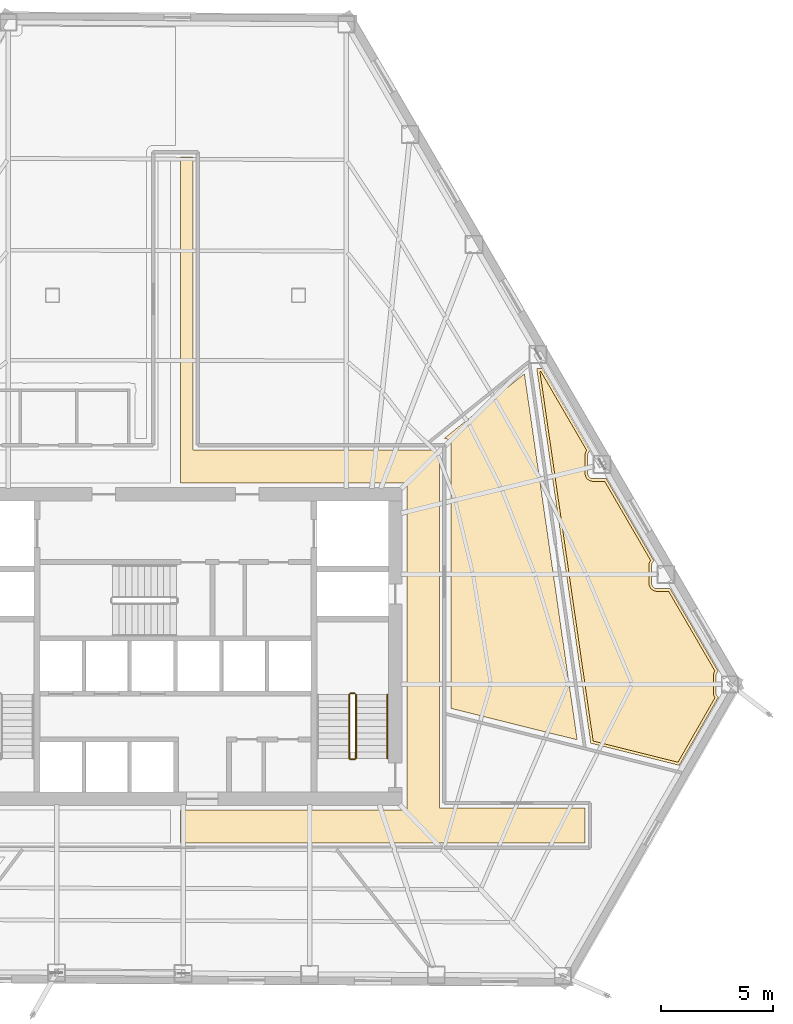
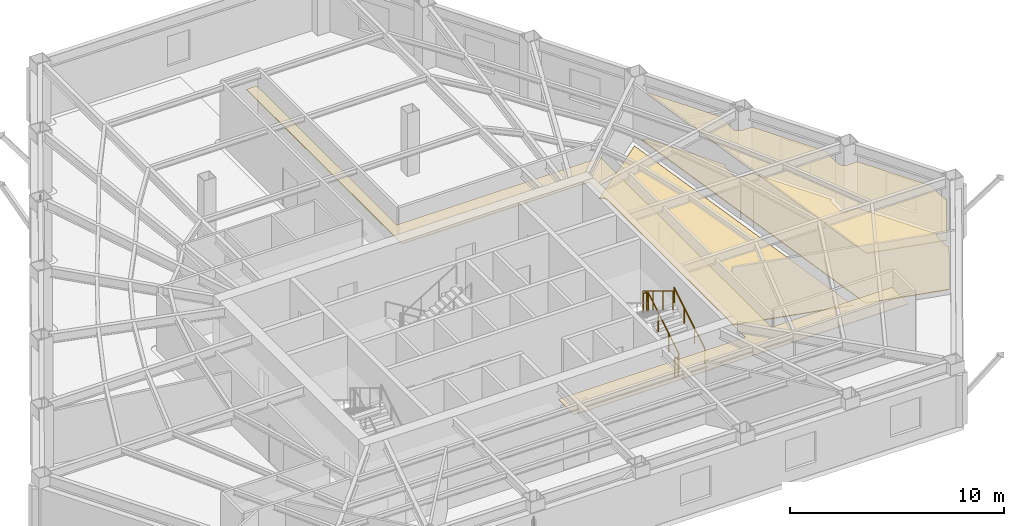
# One storey, part 12 of 12: 5 railings, 4 coverings.
"""IFC4 building model written with IfcOpenShell, lengths in metres."""

from ifc_helpers import new_model, si_unit, direction, frame, origin, origin_2d, place, context, subcontext, project, spatial, polyline, circle, outline, extrude, material, layer, layer_set, type_object, element, save


model = new_model("IFC4")

# Units and contexts
model_context = context("Model", 3, precision=1e-05, world=origin(), true_north=direction((0.0, 1.0)))
body_context = subcontext(model_context, "Body", "Model", "MODEL_VIEW")
ifc_project = project(units=[si_unit("LENGTHUNIT", "METRE"), si_unit("AREAUNIT", "SQUARE_METRE"), si_unit("VOLUMEUNIT", "CUBIC_METRE"), si_unit("PLANEANGLEUNIT", "RADIAN"), si_unit("MASSUNIT", "GRAM", prefix="KILO")], contexts=[model_context])

# Site, building, storey
site_placement = place(None, origin())
site = spatial("IfcSite", under=ifc_project, at=site_placement, CompositionType="ELEMENT")
building_placement = place(site_placement, origin())
building = spatial("IfcBuilding", under=site, at=building_placement, Name="Kavelnor Concourse Tower", CompositionType="ELEMENT")
storey_placement = place(building_placement, frame((0.0, 0.0, 44.5)))
storey = spatial("IfcBuildingStorey", under=building, at=storey_placement, Name="L11", CompositionType="ELEMENT", Elevation=44.5)

# Coverings
ifc_material_1 = material(Name="Mineral fibre acoustic ceiling tile")
ifc_layer_1 = layer(ifc_material_1, 0.0400390625, Name="Mineral fibre acoustic ceiling tile")
ifc_layer_set_1 = layer_set([ifc_layer_1], Name="Mineral fibre acoustic ceiling tile")
covering_type_1 = type_object("IfcCoveringType", Name="COV-CEILING-ACOUSTIC", PredefinedType="CEILING", material=ifc_layer_set_1)
covering_1_placement = place(storey_placement, frame((0.0, 0.0, 2.75)))
element("IfcCovering", 1, at=covering_1_placement, inside=storey, type_object=covering_type_1, Name="L11 Suspended Acoustic Ceiling", PredefinedType="CEILING", context=body_context, shape_type="SweptSolid", body=[
    extrude(outline(polyline([(38.780029296875, 37.97998046875), (38.780029296875, 24.8798828125), (49.800048828125, 24.8798828125), (49.800048828125, 8.8798828125), (56.30810546875, 8.8798828125), (56.30810546875, 7.320068359375), (38.22509765625, 7.320068359375), (38.22509765625, 8.780029296875), (48.340087890625, 8.780029296875), (48.340087890625, 23.419921875), (38.22509765625, 23.419921875), (38.22509765625, 37.97998046875), (38.780029296875, 37.97998046875)])), origin(), (0.0, 0.0, 1.0), 0.0400390625),
])
covering_2_placement = place(storey_placement, frame((0.0, 0.0, 2.75)))
element("IfcCovering", 2, at=covering_2_placement, inside=storey, type_object=covering_type_1, Name="L11 Suspended Acoustic Ceiling", PredefinedType="CEILING", context=body_context, shape_type="SweptSolid", body=[
    extrude(outline(polyline([(56.38623046875, 24.86572265625), (56.37109375, 24.845458984375), (56.35302734375, 24.815185546875), (56.337890625, 24.783203125), (56.325927734375, 24.749755859375), (56.3173828125, 24.715576171875), (56.312255859375, 24.680419921875), (56.310791015625, 24.653564453125), (56.310791015625, 23.8369140625), (56.312255859375, 23.809814453125), (56.3173828125, 23.77490234375), (56.325927734375, 23.740478515625), (56.337890625, 23.707275390625), (56.35302734375, 23.67529296875), (56.37109375, 23.64501953125), (56.392333984375, 23.61669921875), (56.416015625, 23.59033203125), (56.4423828125, 23.566650390625), (56.470703125, 23.54541015625), (56.5009765625, 23.52734375), (56.532958984375, 23.51220703125), (56.56640625, 23.500244140625), (56.6005859375, 23.49169921875), (56.635498046875, 23.486572265625), (56.66259765625, 23.485107421875), (57.18896484375, 23.485107421875), (59.2451171875, 19.947998046875), (59.22998046875, 19.927734375), (59.2119140625, 19.8974609375), (59.19677734375, 19.865478515625), (59.184814453125, 19.832275390625), (59.17626953125, 19.7978515625), (59.1708984375, 19.762939453125), (59.169677734375, 19.73583984375), (59.169677734375, 18.919189453125), (59.1708984375, 18.892333984375), (59.17626953125, 18.857421875), (59.184814453125, 18.822998046875), (59.19677734375, 18.789794921875), (59.2119140625, 18.7578125), (59.22998046875, 18.727294921875), (59.251220703125, 18.698974609375), (59.27490234375, 18.6728515625), (59.301025390625, 18.64892578125), (59.32958984375, 18.6279296875), (59.35986328125, 18.609619140625), (59.391845703125, 18.594482421875), (59.425048828125, 18.582763671875), (59.45947265625, 18.57421875), (59.494384765625, 18.56884765625), (59.521484375, 18.567626953125), (60.047607421875, 18.567626953125), (62.119140625, 15.004150390625), (62.10888671875, 14.989990234375), (62.090576171875, 14.959716796875), (62.075439453125, 14.927734375), (62.063720703125, 14.89453125), (62.054931640625, 14.860107421875), (62.0498046875, 14.8251953125), (62.048583984375, 14.798095703125), (62.048583984375, 14.021484375), (62.0498046875, 13.99462890625), (62.054931640625, 13.959716796875), (62.063720703125, 13.92529296875), (62.075439453125, 13.89208984375), (62.090576171875, 13.860107421875), (62.10888671875, 13.82958984375), (62.12255859375, 13.811279296875), (60.468017578125, 10.92578125), (56.675048828125, 11.87158203125), (54.29296875, 28.40283203125), (54.330078125, 28.40283203125), (56.38623046875, 24.86572265625)])), origin(), (0.0, 0.0, 1.0), 0.0400390625),
])
ifc_material_2 = material(Name="Honed bluestone and raised access floor finish", Category="masonry")
ifc_layer_2 = layer(ifc_material_2, 0.0400390625, Name="Honed bluestone and raised access floor finish")
ifc_layer_set_2 = layer_set([ifc_layer_2], Name="Honed bluestone and raised access floor finish")
covering_type_2 = type_object("IfcCoveringType", Name="COV-FLOOR-STONE", PredefinedType="FLOORING", material=ifc_layer_set_2)
covering_3_placement = place(storey_placement, frame((0.0, 0.0, 0.001953125)))
element("IfcCovering", 3, at=covering_3_placement, inside=storey, type_object=covering_type_2, Name="L11 Honed Bluestone Floor Finish", PredefinedType="FLOORING", context=body_context, shape_type="SweptSolid", body=[
    extrude(outline(polyline([(50.3212890625, 25.129638671875), (50.31689453125, 25.1591796875), (50.309814453125, 25.18798828125), (50.2998046875, 25.2158203125), (50.287109375, 25.24267578125), (50.271728515625, 25.268310546875), (50.25390625, 25.2919921875), (50.234130859375, 25.314208984375), (50.212158203125, 25.333984375), (50.188232421875, 25.351806640625), (50.16259765625, 25.366943359375), (50.135986328125, 25.379638671875), (50.10791015625, 25.3896484375), (50.0791015625, 25.39697265625), (50.0498046875, 25.4013671875), (50.025390625, 25.402587890625), (50.015380859375, 25.402587890625), (53.601806640625, 28.292236328125), (55.9599609375, 11.926025390625), (50.322509765625, 13.331787109375), (50.322509765625, 25.10546875), (50.3212890625, 25.129638671875)])), origin(), (0.0, 0.0, 1.0), 0.0400390625),
])
covering_4_placement = place(storey_placement, frame((0.0, 0.0, 0.001953125)))
element("IfcCovering", 4, at=covering_4_placement, inside=storey, type_object=covering_type_2, Name="L11 Honed Bluestone Floor Finish", PredefinedType="FLOORING", context=body_context, shape_type="SweptSolid", body=[
    extrude(outline(polyline([(56.537109375, 24.8447265625), (56.5185546875, 24.830810546875), (56.5009765625, 24.815185546875), (56.485107421875, 24.797607421875), (56.47119140625, 24.77880859375), (56.458984375, 24.758544921875), (56.448974609375, 24.737060546875), (56.44091796875, 24.71484375), (56.435302734375, 24.692138671875), (56.431884765625, 24.668701171875), (56.430908203125, 24.650634765625), (56.430908203125, 23.83984375), (56.431884765625, 23.821533203125), (56.435302734375, 23.79833984375), (56.44091796875, 23.775390625), (56.448974609375, 23.75341796875), (56.458984375, 23.73193359375), (56.47119140625, 23.711669921875), (56.485107421875, 23.69287109375), (56.5009765625, 23.67529296875), (56.5185546875, 23.659423828125), (56.537353515625, 23.6455078125), (56.5576171875, 23.63330078125), (56.5791015625, 23.623291015625), (56.601318359375, 23.615234375), (56.6240234375, 23.609619140625), (56.647216796875, 23.606201171875), (56.66552734375, 23.605224609375), (57.2578125, 23.605224609375), (59.39599609375, 19.92724609375), (59.377197265625, 19.913330078125), (59.35986328125, 19.8974609375), (59.343994140625, 19.8798828125), (59.329833984375, 19.861083984375), (59.31787109375, 19.8408203125), (59.3076171875, 19.819580078125), (59.2998046875, 19.79736328125), (59.294189453125, 19.7744140625), (59.29052734375, 19.751220703125), (59.289794921875, 19.73291015625), (59.289794921875, 18.922119140625), (59.29052734375, 18.904052734375), (59.294189453125, 18.880615234375), (59.2998046875, 18.85791015625), (59.3076171875, 18.835693359375), (59.31787109375, 18.814208984375), (59.329833984375, 18.794189453125), (59.343994140625, 18.775146484375), (59.35986328125, 18.7578125), (59.377197265625, 18.741943359375), (59.396240234375, 18.727783203125), (59.41650390625, 18.7158203125), (59.437744140625, 18.70556640625), (59.4599609375, 18.69775390625), (59.48291015625, 18.69189453125), (59.506103515625, 18.6884765625), (59.5244140625, 18.6875), (60.11669921875, 18.6875), (62.26904296875, 14.985107421875), (62.256103515625, 14.9755859375), (62.238525390625, 14.959716796875), (62.222900390625, 14.9423828125), (62.208740234375, 14.92333984375), (62.196533203125, 14.9033203125), (62.1865234375, 14.8818359375), (62.1787109375, 14.859619140625), (62.1728515625, 14.8369140625), (62.16943359375, 14.8134765625), (62.16845703125, 14.79541015625), (62.16845703125, 14.0244140625), (62.16943359375, 14.00634765625), (62.1728515625, 13.98291015625), (62.1787109375, 13.960205078125), (62.1865234375, 13.93798828125), (62.196533203125, 13.91650390625), (62.208740234375, 13.896484375), (62.222900390625, 13.87744140625), (62.238525390625, 13.860107421875), (62.256103515625, 13.84423828125), (62.272705078125, 13.831787109375), (60.527099609375, 10.787353515625), (56.56787109375, 11.774658203125), (54.154541015625, 28.52294921875), (54.399169921875, 28.52294921875), (56.537109375, 24.8447265625)])), origin(), (0.0, 0.0, 1.0), 0.0400390625),
])

# Railings
ifc_material_3 = material(Name="Steel Grade 350", Category="steel")
railing_type_1 = type_object("IfcRailingType", Name="RLG-GUARD-1100", PredefinedType="GUARDRAIL", material=ifc_material_3)
railing_1_placement = place(storey_placement, frame((46.070068359375, 11.10009765625, 0.175048828125)))
element("IfcRailing", 5, at=railing_1_placement, inside=storey, type_object=railing_type_1, Name="L11 ST2 stair guard 1", PredefinedType="GUARDRAIL", context=body_context, shape_type="SweptSolid", body=[
    extrude(circle(Radius=0.02392578125, at=origin_2d()), frame((0.0, 0.0, 1.076171875), z_axis=(0.0, 0.852159232446, 0.523282564737), x_axis=(-1.0, 0.0, 0.0)), (0.0, 0.0, 1.0), 3.34423828125),
    extrude(circle(Radius=0.02099609375, at=origin_2d()), origin(), (0.0, 0.0, 1.0), 1.052001953125),
    extrude(circle(Radius=0.02099609375, at=origin_2d()), frame((0.0, 0.949951171875, 0.583251953125)), (0.0, 0.0, 1.0), 1.052001953125),
    extrude(circle(Radius=0.02099609375, at=origin_2d()), frame((0.0, 1.89990234375, 1.166748046875)), (0.0, 0.0, 1.0), 1.052001953125),
    extrude(circle(Radius=0.02099609375, at=origin_2d()), frame((0.0, 2.849853515625, 1.75)), (0.0, 0.0, 1.0), 1.052001953125),
])
railing_2_placement = place(storey_placement, frame((46.02001953125, 14.0, 1.925048828125)))
element("IfcRailing", 6, at=railing_2_placement, inside=storey, type_object=railing_type_1, Name="L11 ST2 stair guard 2", PredefinedType="GUARDRAIL", context=body_context, shape_type="SweptSolid", body=[
    extrude(circle(Radius=0.02392578125, at=origin_2d()), frame((0.0, 0.0, 1.076171875), z_axis=(-1.0, 0.0, 0.0), x_axis=(0.0, -1.0, 0.0)), (0.0, 0.0, 1.0), 0.199951171875),
    extrude(circle(Radius=0.02099609375, at=origin_2d()), origin(), (0.0, 0.0, 1.0), 1.052001953125),
    extrude(circle(Radius=0.02099609375, at=origin_2d()), frame((-0.199951171875, 0.0, 0.0)), (0.0, 0.0, 1.0), 1.052001953125),
])
railing_3_placement = place(storey_placement, frame((45.77001953125, 13.949951171875, 2.10009765625)))
element("IfcRailing", 7, at=railing_3_placement, inside=storey, type_object=railing_type_1, Name="L11 ST2 stair guard 3", PredefinedType="GUARDRAIL", context=body_context, shape_type="SweptSolid", body=[
    extrude(circle(Radius=0.02392578125, at=origin_2d()), frame((0.0, 0.0, 1.076171875), z_axis=(0.0, -0.852159232446, 0.523282564737), x_axis=(1.0, 0.0, 0.0)), (0.0, 0.0, 1.0), 3.34423828125),
    extrude(circle(Radius=0.02099609375, at=origin_2d()), origin(), (0.0, 0.0, 1.0), 1.052001953125),
    extrude(circle(Radius=0.02099609375, at=origin_2d()), frame((0.0, -0.949951171875, 0.583251953125)), (0.0, 0.0, 1.0), 1.052001953125),
    extrude(circle(Radius=0.02099609375, at=origin_2d()), frame((0.0, -1.89990234375, 1.166748046875)), (0.0, 0.0, 1.0), 1.052001953125),
    extrude(circle(Radius=0.02099609375, at=origin_2d()), frame((0.0, -2.849853515625, 1.75)), (0.0, 0.0, 1.0), 1.052001953125),
])
railing_4_placement = place(storey_placement, frame((46.02001953125, 11.050048828125, 0.0)))
element("IfcRailing", 8, at=railing_4_placement, inside=storey, type_object=railing_type_1, Name="L11 ST2 stair guard 4", PredefinedType="GUARDRAIL", context=body_context, shape_type="SweptSolid", body=[
    extrude(circle(Radius=0.02392578125, at=origin_2d()), frame((0.0, 0.0, 1.076171875), z_axis=(-1.0, 0.0, 0.0), x_axis=(0.0, -1.0, 0.0)), (0.0, 0.0, 1.0), 0.199951171875),
    extrude(circle(Radius=0.02099609375, at=origin_2d()), origin(), (0.0, 0.0, 1.0), 1.052001953125),
    extrude(circle(Radius=0.02099609375, at=origin_2d()), frame((-0.199951171875, 0.0, 0.0)), (0.0, 0.0, 1.0), 1.052001953125),
])
railing_type_2 = type_object("IfcRailingType", Name="RLG-HANDRAIL-900", PredefinedType="HANDRAIL", material=ifc_material_3)
railing_5_placement = place(storey_placement, frame((47.469970703125, 11.10009765625, 0.175048828125)))
element("IfcRailing", 9, at=railing_5_placement, inside=storey, type_object=railing_type_2, Name="L11 ST2 stair handrail 1", PredefinedType="HANDRAIL", context=body_context, shape_type="SweptSolid", body=[
    extrude(circle(Radius=0.02392578125, at=origin_2d()), frame((0.0, 0.0, 0.8759765625), z_axis=(0.0, 0.852159232446, 0.523282564737), x_axis=(-1.0, 0.0, 0.0)), (0.0, 0.0, 1.0), 3.34423828125),
    extrude(circle(Radius=0.02099609375, at=origin_2d()), origin(), (0.0, 0.0, 1.0), 0.851806640625),
    extrude(circle(Radius=0.02099609375, at=origin_2d()), frame((0.0, 0.949951171875, 0.583251953125)), (0.0, 0.0, 1.0), 0.851806640625),
    extrude(circle(Radius=0.02099609375, at=origin_2d()), frame((0.0, 1.89990234375, 1.166748046875)), (0.0, 0.0, 1.0), 0.851806640625),
    extrude(circle(Radius=0.02099609375, at=origin_2d()), frame((0.0, 2.849853515625, 1.75)), (0.0, 0.0, 1.0), 0.851806640625),
])

save(model, "model.ifc")
